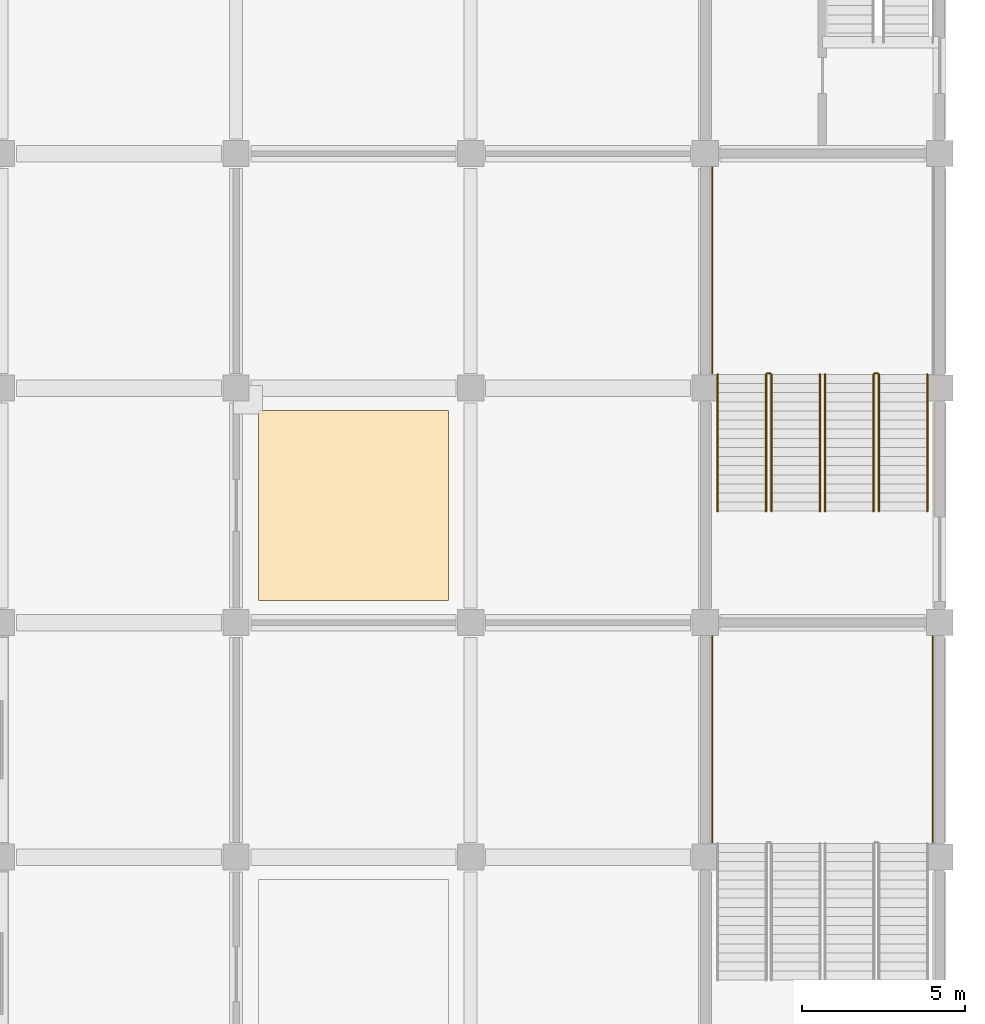
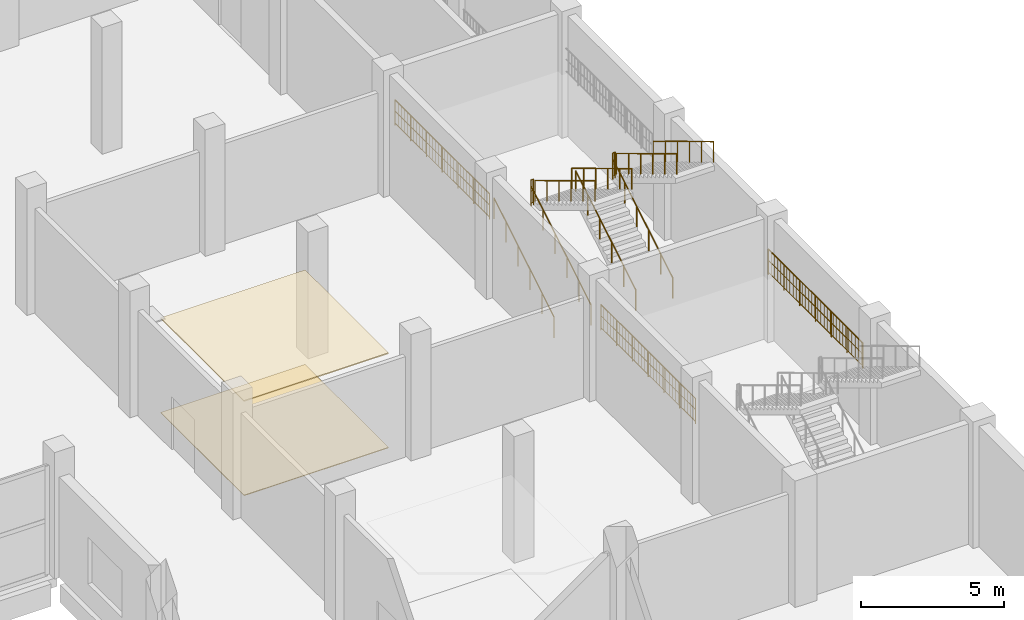
# One storey, part 68 of 70: 13 railings, 2 coverings.
"""IFC4 building model written with IfcOpenShell, lengths in metres."""

from ifc_helpers import new_model, si_unit, direction, frame, origin, origin_2d, place, context, subcontext, project, spatial, polyline, circle, outline, extrude, material, layer, layer_set, type_object, element, save


model = new_model("IFC4")

# Units and contexts
model_context = context("Model", 3, precision=1e-05, world=origin(), true_north=direction((0.0, 1.0)))
body_context = subcontext(model_context, "Body", "Model", "MODEL_VIEW")
ifc_project = project(units=[si_unit("LENGTHUNIT", "METRE"), si_unit("AREAUNIT", "SQUARE_METRE"), si_unit("VOLUMEUNIT", "CUBIC_METRE"), si_unit("PLANEANGLEUNIT", "RADIAN"), si_unit("MASSUNIT", "GRAM", prefix="KILO")], contexts=[model_context])

# Site, building, storey
site_placement = place(None, origin())
site = spatial("IfcSite", under=ifc_project, at=site_placement, CompositionType="ELEMENT")
building_placement = place(site_placement, origin())
building = spatial("IfcBuilding", under=site, at=building_placement, Name="Vesperath Aquatics Centre", CompositionType="ELEMENT")
storey_placement = place(building_placement, origin())
storey = spatial("IfcBuildingStorey", under=building, at=storey_placement, Name="L00", CompositionType="ELEMENT", Elevation=0.0)

# Coverings
ifc_material_1 = material(Name="Perforated moisture-resistant acoustic mineral-fibre ceiling", Category="gypsum")
ifc_layer_1 = layer(ifc_material_1, 0.044921875)
ifc_layer_set_1 = layer_set([ifc_layer_1], Name="Perforated moisture-resistant acoustic mineral-fibre ceiling")
covering_type_1 = type_object("IfcCoveringType", Name="CV-CLG01", PredefinedType="CEILING", material=ifc_layer_set_1)
covering_1_placement = place(storey_placement, frame((0.0, 0.0, 4.02490234375)))
element("IfcCovering", 1, at=covering_1_placement, inside=storey, type_object=covering_type_1, Name="Acoustic Suspended Ceiling CLG1 L00_CHG_F", PredefinedType="CEILING", context=body_context, shape_type="SweptSolid", body=[
    extrude(outline(polyline([(151.8798828125, 65.47998046875), (157.719970703125, 65.47998046875), (157.719970703125, 71.320068359375), (151.8798828125, 71.320068359375), (151.8798828125, 65.47998046875)])), origin(), (0.0, 0.0, 1.0), 0.045166015625),
])
ifc_material_2 = material(Name="Slip-resistant vitrified ceramic and terrazzo flooring", Category="ceramic")
ifc_layer_2 = layer(ifc_material_2, 0.030029296875)
ifc_layer_set_2 = layer_set([ifc_layer_2], Name="Slip-resistant vitrified ceramic and terrazzo flooring")
covering_type_2 = type_object("IfcCoveringType", Name="CV-FLR01", PredefinedType="FLOORING", material=ifc_layer_set_2)
covering_2_placement = place(storey_placement, origin())
element("IfcCovering", 2, at=covering_2_placement, inside=storey, type_object=covering_type_2, Name="Slip-Resistant Floor Finish FLR1 L00_CHG_F", PredefinedType="FLOORING", context=body_context, shape_type="SweptSolid", body=[
    extrude(outline(polyline([(151.8798828125, 65.47998046875), (157.719970703125, 65.47998046875), (157.719970703125, 71.320068359375), (151.8798828125, 71.320068359375), (151.8798828125, 65.47998046875)])), origin(), (0.0, 0.0, 1.0), 0.030029296875),
])

# Railings
ifc_material_3 = material(Name="Powder-coated galvanized steel safety guard", Category="steel")
railing_type_1 = type_object("IfcRailingType", Name="RL-GRD01", PredefinedType="GUARDRAIL", material=ifc_material_3)
railing_1_placement = place(storey_placement, frame((165.820068359375, 58.06005859375, 2.699951171875)))
element("IfcRailing", 3, at=railing_1_placement, inside=storey, type_object=railing_type_1, Name="Stair ST12A Half-Landing Wall Guard GR02 L00", PredefinedType="GUARDRAIL", context=body_context, shape_type="SweptSolid", body=[
    extrude(circle(Radius=0.02392578125, at=origin_2d()), frame((0.0, 0.0, 1.0859375), z_axis=(0.0, 1.0, 0.0), x_axis=(-1.0, 0.0, 0.0)), (0.0, 0.0, 1.0), 6.60986328125),
    extrude(circle(Radius=0.01611328125, at=origin_2d()), frame((0.0, 0.0, 0.10009765625), z_axis=(0.0, 1.0, 0.0), x_axis=(-1.0, 0.0, 0.0)), (0.0, 0.0, 1.0), 6.60986328125),
    extrude(circle(Radius=0.01611328125, at=origin_2d()), frame((0.0, 0.0, 0.610595703125), z_axis=(0.0, 1.0, 0.0), x_axis=(-1.0, 0.0, 0.0)), (0.0, 0.0, 1.0), 6.60986328125),
    extrude(circle(Radius=0.009033203125, at=origin_2d()), frame((0.0, 0.1083984375, 0.10009765625)), (0.0, 0.0, 1.0), 0.9619140625),
    extrude(circle(Radius=0.009033203125, at=origin_2d()), frame((0.0, 0.3251953125, 0.10009765625)), (0.0, 0.0, 1.0), 0.9619140625),
    extrude(circle(Radius=0.009033203125, at=origin_2d()), frame((0.0, 0.541748046875, 0.10009765625)), (0.0, 0.0, 1.0), 0.9619140625),
    extrude(circle(Radius=0.009033203125, at=origin_2d()), frame((0.0, 0.758544921875, 0.10009765625)), (0.0, 0.0, 1.0), 0.9619140625),
    extrude(circle(Radius=0.009033203125, at=origin_2d()), frame((0.0, 0.975341796875, 0.10009765625)), (0.0, 0.0, 1.0), 0.9619140625),
    extrude(circle(Radius=0.009033203125, at=origin_2d()), frame((0.0, 1.19189453125, 0.10009765625)), (0.0, 0.0, 1.0), 0.9619140625),
    extrude(circle(Radius=0.009033203125, at=origin_2d()), frame((0.0, 1.40869140625, 0.10009765625)), (0.0, 0.0, 1.0), 0.9619140625),
    extrude(circle(Radius=0.009033203125, at=origin_2d()), frame((0.0, 1.62548828125, 0.10009765625)), (0.0, 0.0, 1.0), 0.9619140625),
    extrude(circle(Radius=0.009033203125, at=origin_2d()), frame((0.0, 1.842041015625, 0.10009765625)), (0.0, 0.0, 1.0), 0.9619140625),
    extrude(circle(Radius=0.009033203125, at=origin_2d()), frame((0.0, 2.058837890625, 0.10009765625)), (0.0, 0.0, 1.0), 0.9619140625),
    extrude(circle(Radius=0.009033203125, at=origin_2d()), frame((0.0, 2.275634765625, 0.10009765625)), (0.0, 0.0, 1.0), 0.9619140625),
    extrude(circle(Radius=0.009033203125, at=origin_2d()), frame((0.0, 2.4921875, 0.10009765625)), (0.0, 0.0, 1.0), 0.9619140625),
    extrude(circle(Radius=0.009033203125, at=origin_2d()), frame((0.0, 2.708984375, 0.10009765625)), (0.0, 0.0, 1.0), 0.9619140625),
    extrude(circle(Radius=0.009033203125, at=origin_2d()), frame((0.0, 2.92578125, 0.10009765625)), (0.0, 0.0, 1.0), 0.9619140625),
    extrude(circle(Radius=0.009033203125, at=origin_2d()), frame((0.0, 3.142333984375, 0.10009765625)), (0.0, 0.0, 1.0), 0.9619140625),
    extrude(circle(Radius=0.009033203125, at=origin_2d()), frame((0.0, 3.359130859375, 0.10009765625)), (0.0, 0.0, 1.0), 0.9619140625),
    extrude(circle(Radius=0.009033203125, at=origin_2d()), frame((0.0, 3.575927734375, 0.10009765625)), (0.0, 0.0, 1.0), 0.9619140625),
    extrude(circle(Radius=0.009033203125, at=origin_2d()), frame((0.0, 3.79248046875, 0.10009765625)), (0.0, 0.0, 1.0), 0.9619140625),
    extrude(circle(Radius=0.009033203125, at=origin_2d()), frame((0.0, 4.00927734375, 0.10009765625)), (0.0, 0.0, 1.0), 0.9619140625),
    extrude(circle(Radius=0.009033203125, at=origin_2d()), frame((0.0, 4.22607421875, 0.10009765625)), (0.0, 0.0, 1.0), 0.9619140625),
    extrude(circle(Radius=0.009033203125, at=origin_2d()), frame((0.0, 4.442626953125, 0.10009765625)), (0.0, 0.0, 1.0), 0.9619140625),
    extrude(circle(Radius=0.009033203125, at=origin_2d()), frame((0.0, 4.659423828125, 0.10009765625)), (0.0, 0.0, 1.0), 0.9619140625),
    extrude(circle(Radius=0.009033203125, at=origin_2d()), frame((0.0, 4.876220703125, 0.10009765625)), (0.0, 0.0, 1.0), 0.9619140625),
    extrude(circle(Radius=0.009033203125, at=origin_2d()), frame((0.0, 5.0927734375, 0.10009765625)), (0.0, 0.0, 1.0), 0.9619140625),
    extrude(circle(Radius=0.009033203125, at=origin_2d()), frame((0.0, 5.3095703125, 0.10009765625)), (0.0, 0.0, 1.0), 0.9619140625),
    extrude(circle(Radius=0.009033203125, at=origin_2d()), frame((0.0, 5.5263671875, 0.10009765625)), (0.0, 0.0, 1.0), 0.9619140625),
    extrude(circle(Radius=0.009033203125, at=origin_2d()), frame((0.0, 5.742919921875, 0.10009765625)), (0.0, 0.0, 1.0), 0.9619140625),
    extrude(circle(Radius=0.009033203125, at=origin_2d()), frame((0.0, 5.959716796875, 0.10009765625)), (0.0, 0.0, 1.0), 0.9619140625),
    extrude(circle(Radius=0.009033203125, at=origin_2d()), frame((0.0, 6.176513671875, 0.10009765625)), (0.0, 0.0, 1.0), 0.9619140625),
    extrude(circle(Radius=0.009033203125, at=origin_2d()), frame((0.0, 6.39306640625, 0.10009765625)), (0.0, 0.0, 1.0), 0.9619140625),
    extrude(circle(Radius=0.02197265625, at=origin_2d()), origin(), (0.0, 0.0, 1.0), 1.0859375),
    extrude(circle(Radius=0.02197265625, at=origin_2d()), frame((0.0, 1.1015625, 0.0)), (0.0, 0.0, 1.0), 1.0859375),
    extrude(circle(Radius=0.02197265625, at=origin_2d()), frame((0.0, 2.203369140625, 0.0)), (0.0, 0.0, 1.0), 1.0859375),
    extrude(circle(Radius=0.02197265625, at=origin_2d()), frame((0.0, 3.304931640625, 0.0)), (0.0, 0.0, 1.0), 1.0859375),
    extrude(circle(Radius=0.02197265625, at=origin_2d()), frame((0.0, 4.406494140625, 0.0)), (0.0, 0.0, 1.0), 1.0859375),
    extrude(circle(Radius=0.02197265625, at=origin_2d()), frame((0.0, 5.50830078125, 0.0)), (0.0, 0.0, 1.0), 1.0859375),
    extrude(circle(Radius=0.02197265625, at=origin_2d()), frame((0.0, 6.60986328125, 0.0)), (0.0, 0.0, 1.0), 1.0859375),
])
railing_2_placement = place(storey_placement, frame((172.580078125, 58.06005859375, 2.699951171875)))
element("IfcRailing", 4, at=railing_2_placement, inside=storey, type_object=railing_type_1, Name="Stair ST12B Half-Landing Wall Guard GR02 L00", PredefinedType="GUARDRAIL", context=body_context, shape_type="SweptSolid", body=[
    extrude(circle(Radius=0.02392578125, at=origin_2d()), frame((0.0, 0.0, 1.0859375), z_axis=(0.0, 1.0, 0.0), x_axis=(-1.0, 0.0, 0.0)), (0.0, 0.0, 1.0), 6.60986328125),
    extrude(circle(Radius=0.01611328125, at=origin_2d()), frame((0.0, 0.0, 0.10009765625), z_axis=(0.0, 1.0, 0.0), x_axis=(-1.0, 0.0, 0.0)), (0.0, 0.0, 1.0), 6.60986328125),
    extrude(circle(Radius=0.01611328125, at=origin_2d()), frame((0.0, 0.0, 0.610595703125), z_axis=(0.0, 1.0, 0.0), x_axis=(-1.0, 0.0, 0.0)), (0.0, 0.0, 1.0), 6.60986328125),
    extrude(circle(Radius=0.009033203125, at=origin_2d()), frame((0.0, 0.1083984375, 0.10009765625)), (0.0, 0.0, 1.0), 0.9619140625),
    extrude(circle(Radius=0.009033203125, at=origin_2d()), frame((0.0, 0.3251953125, 0.10009765625)), (0.0, 0.0, 1.0), 0.9619140625),
    extrude(circle(Radius=0.009033203125, at=origin_2d()), frame((0.0, 0.541748046875, 0.10009765625)), (0.0, 0.0, 1.0), 0.9619140625),
    extrude(circle(Radius=0.009033203125, at=origin_2d()), frame((0.0, 0.758544921875, 0.10009765625)), (0.0, 0.0, 1.0), 0.9619140625),
    extrude(circle(Radius=0.009033203125, at=origin_2d()), frame((0.0, 0.975341796875, 0.10009765625)), (0.0, 0.0, 1.0), 0.9619140625),
    extrude(circle(Radius=0.009033203125, at=origin_2d()), frame((0.0, 1.19189453125, 0.10009765625)), (0.0, 0.0, 1.0), 0.9619140625),
    extrude(circle(Radius=0.009033203125, at=origin_2d()), frame((0.0, 1.40869140625, 0.10009765625)), (0.0, 0.0, 1.0), 0.9619140625),
    extrude(circle(Radius=0.009033203125, at=origin_2d()), frame((0.0, 1.62548828125, 0.10009765625)), (0.0, 0.0, 1.0), 0.9619140625),
    extrude(circle(Radius=0.009033203125, at=origin_2d()), frame((0.0, 1.842041015625, 0.10009765625)), (0.0, 0.0, 1.0), 0.9619140625),
    extrude(circle(Radius=0.009033203125, at=origin_2d()), frame((0.0, 2.058837890625, 0.10009765625)), (0.0, 0.0, 1.0), 0.9619140625),
    extrude(circle(Radius=0.009033203125, at=origin_2d()), frame((0.0, 2.275634765625, 0.10009765625)), (0.0, 0.0, 1.0), 0.9619140625),
    extrude(circle(Radius=0.009033203125, at=origin_2d()), frame((0.0, 2.4921875, 0.10009765625)), (0.0, 0.0, 1.0), 0.9619140625),
    extrude(circle(Radius=0.009033203125, at=origin_2d()), frame((0.0, 2.708984375, 0.10009765625)), (0.0, 0.0, 1.0), 0.9619140625),
    extrude(circle(Radius=0.009033203125, at=origin_2d()), frame((0.0, 2.92578125, 0.10009765625)), (0.0, 0.0, 1.0), 0.9619140625),
    extrude(circle(Radius=0.009033203125, at=origin_2d()), frame((0.0, 3.142333984375, 0.10009765625)), (0.0, 0.0, 1.0), 0.9619140625),
    extrude(circle(Radius=0.009033203125, at=origin_2d()), frame((0.0, 3.359130859375, 0.10009765625)), (0.0, 0.0, 1.0), 0.9619140625),
    extrude(circle(Radius=0.009033203125, at=origin_2d()), frame((0.0, 3.575927734375, 0.10009765625)), (0.0, 0.0, 1.0), 0.9619140625),
    extrude(circle(Radius=0.009033203125, at=origin_2d()), frame((0.0, 3.79248046875, 0.10009765625)), (0.0, 0.0, 1.0), 0.9619140625),
    extrude(circle(Radius=0.009033203125, at=origin_2d()), frame((0.0, 4.00927734375, 0.10009765625)), (0.0, 0.0, 1.0), 0.9619140625),
    extrude(circle(Radius=0.009033203125, at=origin_2d()), frame((0.0, 4.22607421875, 0.10009765625)), (0.0, 0.0, 1.0), 0.9619140625),
    extrude(circle(Radius=0.009033203125, at=origin_2d()), frame((0.0, 4.442626953125, 0.10009765625)), (0.0, 0.0, 1.0), 0.9619140625),
    extrude(circle(Radius=0.009033203125, at=origin_2d()), frame((0.0, 4.659423828125, 0.10009765625)), (0.0, 0.0, 1.0), 0.9619140625),
    extrude(circle(Radius=0.009033203125, at=origin_2d()), frame((0.0, 4.876220703125, 0.10009765625)), (0.0, 0.0, 1.0), 0.9619140625),
    extrude(circle(Radius=0.009033203125, at=origin_2d()), frame((0.0, 5.0927734375, 0.10009765625)), (0.0, 0.0, 1.0), 0.9619140625),
    extrude(circle(Radius=0.009033203125, at=origin_2d()), frame((0.0, 5.3095703125, 0.10009765625)), (0.0, 0.0, 1.0), 0.9619140625),
    extrude(circle(Radius=0.009033203125, at=origin_2d()), frame((0.0, 5.5263671875, 0.10009765625)), (0.0, 0.0, 1.0), 0.9619140625),
    extrude(circle(Radius=0.009033203125, at=origin_2d()), frame((0.0, 5.742919921875, 0.10009765625)), (0.0, 0.0, 1.0), 0.9619140625),
    extrude(circle(Radius=0.009033203125, at=origin_2d()), frame((0.0, 5.959716796875, 0.10009765625)), (0.0, 0.0, 1.0), 0.9619140625),
    extrude(circle(Radius=0.009033203125, at=origin_2d()), frame((0.0, 6.176513671875, 0.10009765625)), (0.0, 0.0, 1.0), 0.9619140625),
    extrude(circle(Radius=0.009033203125, at=origin_2d()), frame((0.0, 6.39306640625, 0.10009765625)), (0.0, 0.0, 1.0), 0.9619140625),
    extrude(circle(Radius=0.02197265625, at=origin_2d()), origin(), (0.0, 0.0, 1.0), 1.0859375),
    extrude(circle(Radius=0.02197265625, at=origin_2d()), frame((0.0, 1.1015625, 0.0)), (0.0, 0.0, 1.0), 1.0859375),
    extrude(circle(Radius=0.02197265625, at=origin_2d()), frame((0.0, 2.203369140625, 0.0)), (0.0, 0.0, 1.0), 1.0859375),
    extrude(circle(Radius=0.02197265625, at=origin_2d()), frame((0.0, 3.304931640625, 0.0)), (0.0, 0.0, 1.0), 1.0859375),
    extrude(circle(Radius=0.02197265625, at=origin_2d()), frame((0.0, 4.406494140625, 0.0)), (0.0, 0.0, 1.0), 1.0859375),
    extrude(circle(Radius=0.02197265625, at=origin_2d()), frame((0.0, 5.50830078125, 0.0)), (0.0, 0.0, 1.0), 1.0859375),
    extrude(circle(Radius=0.02197265625, at=origin_2d()), frame((0.0, 6.60986328125, 0.0)), (0.0, 0.0, 1.0), 1.0859375),
])
railing_3_placement = place(storey_placement, frame((167.5, 72.4599609375, 2.699951171875)))
element("IfcRailing", 5, at=railing_3_placement, inside=storey, type_object=railing_type_1, Name="Stair ST13A Half-Landing Slot Guard GR02 L00", PredefinedType="GUARDRAIL", context=body_context, shape_type="SweptSolid", body=[
    extrude(circle(Radius=0.02392578125, at=origin_2d()), frame((0.0, 0.0, 1.0859375), z_axis=(1.0, 0.0, 0.0), x_axis=(0.0, 1.0, 0.0)), (0.0, 0.0, 1.0), 0.10009765625),
    extrude(circle(Radius=0.01611328125, at=origin_2d()), frame((0.0, 0.0, 0.10009765625), z_axis=(1.0, 0.0, 0.0), x_axis=(0.0, 1.0, 0.0)), (0.0, 0.0, 1.0), 0.10009765625),
    extrude(circle(Radius=0.01611328125, at=origin_2d()), frame((0.0, 0.0, 0.610595703125), z_axis=(1.0, 0.0, 0.0), x_axis=(0.0, 1.0, 0.0)), (0.0, 0.0, 1.0), 0.10009765625),
    extrude(circle(Radius=0.009033203125, at=origin_2d()), frame((0.050048828125, 0.0, 0.10009765625)), (0.0, 0.0, 1.0), 0.9619140625),
    extrude(circle(Radius=0.02197265625, at=origin_2d()), origin(), (0.0, 0.0, 1.0), 1.0859375),
    extrude(circle(Radius=0.02197265625, at=origin_2d()), frame((0.10009765625, 0.0, 0.0)), (0.0, 0.0, 1.0), 1.0859375),
])
railing_4_placement = place(storey_placement, frame((165.820068359375, 72.4599609375, 2.699951171875)))
element("IfcRailing", 6, at=railing_4_placement, inside=storey, type_object=railing_type_1, Name="Stair ST13A Half-Landing Wall Guard GR02 L00", PredefinedType="GUARDRAIL", context=body_context, shape_type="SweptSolid", body=[
    extrude(circle(Radius=0.02392578125, at=origin_2d()), frame((0.0, 0.0, 1.0859375), z_axis=(0.0, 1.0, 0.0), x_axis=(-1.0, 0.0, 0.0)), (0.0, 0.0, 1.0), 6.610107421875),
    extrude(circle(Radius=0.01611328125, at=origin_2d()), frame((0.0, 0.0, 0.10009765625), z_axis=(0.0, 1.0, 0.0), x_axis=(-1.0, 0.0, 0.0)), (0.0, 0.0, 1.0), 6.610107421875),
    extrude(circle(Radius=0.01611328125, at=origin_2d()), frame((0.0, 0.0, 0.610595703125), z_axis=(0.0, 1.0, 0.0), x_axis=(-1.0, 0.0, 0.0)), (0.0, 0.0, 1.0), 6.610107421875),
    extrude(circle(Radius=0.009033203125, at=origin_2d()), frame((0.0, 0.1083984375, 0.10009765625)), (0.0, 0.0, 1.0), 0.9619140625),
    extrude(circle(Radius=0.009033203125, at=origin_2d()), frame((0.0, 0.3251953125, 0.10009765625)), (0.0, 0.0, 1.0), 0.9619140625),
    extrude(circle(Radius=0.009033203125, at=origin_2d()), frame((0.0, 0.541748046875, 0.10009765625)), (0.0, 0.0, 1.0), 0.9619140625),
    extrude(circle(Radius=0.009033203125, at=origin_2d()), frame((0.0, 0.758544921875, 0.10009765625)), (0.0, 0.0, 1.0), 0.9619140625),
    extrude(circle(Radius=0.009033203125, at=origin_2d()), frame((0.0, 0.975341796875, 0.10009765625)), (0.0, 0.0, 1.0), 0.9619140625),
    extrude(circle(Radius=0.009033203125, at=origin_2d()), frame((0.0, 1.19189453125, 0.10009765625)), (0.0, 0.0, 1.0), 0.9619140625),
    extrude(circle(Radius=0.009033203125, at=origin_2d()), frame((0.0, 1.40869140625, 0.10009765625)), (0.0, 0.0, 1.0), 0.9619140625),
    extrude(circle(Radius=0.009033203125, at=origin_2d()), frame((0.0, 1.62548828125, 0.10009765625)), (0.0, 0.0, 1.0), 0.9619140625),
    extrude(circle(Radius=0.009033203125, at=origin_2d()), frame((0.0, 1.842041015625, 0.10009765625)), (0.0, 0.0, 1.0), 0.9619140625),
    extrude(circle(Radius=0.009033203125, at=origin_2d()), frame((0.0, 2.058837890625, 0.10009765625)), (0.0, 0.0, 1.0), 0.9619140625),
    extrude(circle(Radius=0.009033203125, at=origin_2d()), frame((0.0, 2.275634765625, 0.10009765625)), (0.0, 0.0, 1.0), 0.9619140625),
    extrude(circle(Radius=0.009033203125, at=origin_2d()), frame((0.0, 2.492431640625, 0.10009765625)), (0.0, 0.0, 1.0), 0.9619140625),
    extrude(circle(Radius=0.009033203125, at=origin_2d()), frame((0.0, 2.708984375, 0.10009765625)), (0.0, 0.0, 1.0), 0.9619140625),
    extrude(circle(Radius=0.009033203125, at=origin_2d()), frame((0.0, 2.92578125, 0.10009765625)), (0.0, 0.0, 1.0), 0.9619140625),
    extrude(circle(Radius=0.009033203125, at=origin_2d()), frame((0.0, 3.142578125, 0.10009765625)), (0.0, 0.0, 1.0), 0.9619140625),
    extrude(circle(Radius=0.009033203125, at=origin_2d()), frame((0.0, 3.359130859375, 0.10009765625)), (0.0, 0.0, 1.0), 0.9619140625),
    extrude(circle(Radius=0.009033203125, at=origin_2d()), frame((0.0, 3.575927734375, 0.10009765625)), (0.0, 0.0, 1.0), 0.9619140625),
    extrude(circle(Radius=0.009033203125, at=origin_2d()), frame((0.0, 3.792724609375, 0.10009765625)), (0.0, 0.0, 1.0), 0.9619140625),
    extrude(circle(Radius=0.009033203125, at=origin_2d()), frame((0.0, 4.009521484375, 0.10009765625)), (0.0, 0.0, 1.0), 0.9619140625),
    extrude(circle(Radius=0.009033203125, at=origin_2d()), frame((0.0, 4.22607421875, 0.10009765625)), (0.0, 0.0, 1.0), 0.9619140625),
    extrude(circle(Radius=0.009033203125, at=origin_2d()), frame((0.0, 4.44287109375, 0.10009765625)), (0.0, 0.0, 1.0), 0.9619140625),
    extrude(circle(Radius=0.009033203125, at=origin_2d()), frame((0.0, 4.65966796875, 0.10009765625)), (0.0, 0.0, 1.0), 0.9619140625),
    extrude(circle(Radius=0.009033203125, at=origin_2d()), frame((0.0, 4.876220703125, 0.10009765625)), (0.0, 0.0, 1.0), 0.9619140625),
    extrude(circle(Radius=0.009033203125, at=origin_2d()), frame((0.0, 5.093017578125, 0.10009765625)), (0.0, 0.0, 1.0), 0.9619140625),
    extrude(circle(Radius=0.009033203125, at=origin_2d()), frame((0.0, 5.309814453125, 0.10009765625)), (0.0, 0.0, 1.0), 0.9619140625),
    extrude(circle(Radius=0.009033203125, at=origin_2d()), frame((0.0, 5.5263671875, 0.10009765625)), (0.0, 0.0, 1.0), 0.9619140625),
    extrude(circle(Radius=0.009033203125, at=origin_2d()), frame((0.0, 5.7431640625, 0.10009765625)), (0.0, 0.0, 1.0), 0.9619140625),
    extrude(circle(Radius=0.009033203125, at=origin_2d()), frame((0.0, 5.9599609375, 0.10009765625)), (0.0, 0.0, 1.0), 0.9619140625),
    extrude(circle(Radius=0.009033203125, at=origin_2d()), frame((0.0, 6.1767578125, 0.10009765625)), (0.0, 0.0, 1.0), 0.9619140625),
    extrude(circle(Radius=0.009033203125, at=origin_2d()), frame((0.0, 6.393310546875, 0.10009765625)), (0.0, 0.0, 1.0), 0.9619140625),
    extrude(circle(Radius=0.02197265625, at=origin_2d()), origin(), (0.0, 0.0, 1.0), 1.0859375),
    extrude(circle(Radius=0.02197265625, at=origin_2d()), frame((0.0, 1.1015625, 0.0)), (0.0, 0.0, 1.0), 1.0859375),
    extrude(circle(Radius=0.02197265625, at=origin_2d()), frame((0.0, 2.203369140625, 0.0)), (0.0, 0.0, 1.0), 1.0859375),
    extrude(circle(Radius=0.02197265625, at=origin_2d()), frame((0.0, 3.30517578125, 0.0)), (0.0, 0.0, 1.0), 1.0859375),
    extrude(circle(Radius=0.02197265625, at=origin_2d()), frame((0.0, 4.40673828125, 0.0)), (0.0, 0.0, 1.0), 1.0859375),
    extrude(circle(Radius=0.02197265625, at=origin_2d()), frame((0.0, 5.50830078125, 0.0)), (0.0, 0.0, 1.0), 1.0859375),
    extrude(circle(Radius=0.02197265625, at=origin_2d()), frame((0.0, 6.610107421875, 0.0)), (0.0, 0.0, 1.0), 1.0859375),
])
railing_5_placement = place(storey_placement, frame((170.800048828125, 72.4599609375, 2.699951171875)))
element("IfcRailing", 7, at=railing_5_placement, inside=storey, type_object=railing_type_1, Name="Stair ST13B Half-Landing Slot Guard GR02 L00", PredefinedType="GUARDRAIL", context=body_context, shape_type="SweptSolid", body=[
    extrude(circle(Radius=0.02392578125, at=origin_2d()), frame((0.0, 0.0, 1.0859375), z_axis=(1.0, 0.0, 0.0), x_axis=(0.0, 1.0, 0.0)), (0.0, 0.0, 1.0), 0.099853515625),
    extrude(circle(Radius=0.01611328125, at=origin_2d()), frame((0.0, 0.0, 0.10009765625), z_axis=(1.0, 0.0, 0.0), x_axis=(0.0, 1.0, 0.0)), (0.0, 0.0, 1.0), 0.099853515625),
    extrude(circle(Radius=0.01611328125, at=origin_2d()), frame((0.0, 0.0, 0.610595703125), z_axis=(1.0, 0.0, 0.0), x_axis=(0.0, 1.0, 0.0)), (0.0, 0.0, 1.0), 0.099853515625),
    extrude(circle(Radius=0.009033203125, at=origin_2d()), frame((0.0498046875, 0.0, 0.10009765625)), (0.0, 0.0, 1.0), 0.9619140625),
    extrude(circle(Radius=0.02197265625, at=origin_2d()), origin(), (0.0, 0.0, 1.0), 1.0859375),
    extrude(circle(Radius=0.02197265625, at=origin_2d()), frame((0.099853515625, 0.0, 0.0)), (0.0, 0.0, 1.0), 1.0859375),
])
ifc_material_4 = material(Name="Brushed stainless steel tubular handrail", Category="steel")
railing_type_2 = type_object("IfcRailingType", Name="RL-HND01", PredefinedType="HANDRAIL", material=ifc_material_4)
railing_6_placement = place(storey_placement, frame((167.469970703125, 68.219970703125, 0.168701171875)))
element("IfcRailing", 8, at=railing_6_placement, inside=storey, type_object=railing_type_2, Name="Stair ST13A Flight 1 Handrail HR01 L00", PredefinedType="HANDRAIL", context=body_context, shape_type="SweptSolid", body=[
    extrude(circle(Radius=0.02392578125, at=origin_2d()), frame((0.0, 0.0, 0.8759765625), z_axis=(0.0, 0.856476492594, 0.516186030065), x_axis=(-1.0, 0.0, 0.0)), (0.0, 0.0, 1.0), 4.90380859375),
    extrude(circle(Radius=0.02197265625, at=origin_2d()), origin(), (0.0, 0.0, 1.0), 0.8759765625),
    extrude(circle(Radius=0.02197265625, at=origin_2d()), frame((0.0, 0.840087890625, 0.50634765625)), (0.0, 0.0, 1.0), 0.8759765625),
    extrude(circle(Radius=0.02197265625, at=origin_2d()), frame((0.0, 1.679931640625, 1.012451171875)), (0.0, 0.0, 1.0), 0.8759765625),
    extrude(circle(Radius=0.02197265625, at=origin_2d()), frame((0.0, 2.52001953125, 1.518798828125)), (0.0, 0.0, 1.0), 0.8759765625),
    extrude(circle(Radius=0.02197265625, at=origin_2d()), frame((0.0, 3.35986328125, 2.02490234375)), (0.0, 0.0, 1.0), 0.8759765625),
    extrude(circle(Radius=0.02197265625, at=origin_2d()), frame((0.0, 4.199951171875, 2.53125)), (0.0, 0.0, 1.0), 0.8759765625),
])
railing_7_placement = place(storey_placement, frame((167.6298828125, 72.419921875, 2.86865234375)))
element("IfcRailing", 9, at=railing_7_placement, inside=storey, type_object=railing_type_2, Name="Stair ST13A Flight 2 Handrail HR01 L00", PredefinedType="HANDRAIL", context=body_context, shape_type="SweptSolid", body=[
    extrude(circle(Radius=0.02392578125, at=origin_2d()), frame((0.0, 0.0, 0.8759765625), z_axis=(0.0, -0.856476492594, 0.516186030065), x_axis=(1.0, 0.0, 0.0)), (0.0, 0.0, 1.0), 4.90380859375),
    extrude(circle(Radius=0.02197265625, at=origin_2d()), origin(), (0.0, 0.0, 1.0), 0.8759765625),
    extrude(circle(Radius=0.02197265625, at=origin_2d()), frame((0.0, -0.840087890625, 0.50634765625)), (0.0, 0.0, 1.0), 0.8759765625),
    extrude(circle(Radius=0.02197265625, at=origin_2d()), frame((0.0, -1.679931640625, 1.012451171875)), (0.0, 0.0, 1.0), 0.8759765625),
    extrude(circle(Radius=0.02197265625, at=origin_2d()), frame((0.0, -2.52001953125, 1.518798828125)), (0.0, 0.0, 1.0), 0.8759765625),
    extrude(circle(Radius=0.02197265625, at=origin_2d()), frame((0.0, -3.35986328125, 2.02490234375)), (0.0, 0.0, 1.0), 0.8759765625),
    extrude(circle(Radius=0.02197265625, at=origin_2d()), frame((0.0, -4.199951171875, 2.53125)), (0.0, 0.0, 1.0), 0.8759765625),
])
railing_8_placement = place(storey_placement, frame((165.97998046875, 68.219970703125, 0.168701171875)))
element("IfcRailing", 10, at=railing_8_placement, inside=storey, type_object=railing_type_2, Name="Stair ST13A Flight 1 Handrail HR01 L00", PredefinedType="HANDRAIL", context=body_context, shape_type="SweptSolid", body=[
    extrude(circle(Radius=0.02392578125, at=origin_2d()), frame((0.0, 0.0, 0.8759765625), z_axis=(0.0, 0.856476492594, 0.516186030065), x_axis=(-1.0, 0.0, 0.0)), (0.0, 0.0, 1.0), 4.90380859375),
    extrude(circle(Radius=0.02197265625, at=origin_2d()), origin(), (0.0, 0.0, 1.0), 0.8759765625),
    extrude(circle(Radius=0.02197265625, at=origin_2d()), frame((0.0, 0.840087890625, 0.50634765625)), (0.0, 0.0, 1.0), 0.8759765625),
    extrude(circle(Radius=0.02197265625, at=origin_2d()), frame((0.0, 1.679931640625, 1.012451171875)), (0.0, 0.0, 1.0), 0.8759765625),
    extrude(circle(Radius=0.02197265625, at=origin_2d()), frame((0.0, 2.52001953125, 1.518798828125)), (0.0, 0.0, 1.0), 0.8759765625),
    extrude(circle(Radius=0.02197265625, at=origin_2d()), frame((0.0, 3.35986328125, 2.02490234375)), (0.0, 0.0, 1.0), 0.8759765625),
    extrude(circle(Radius=0.02197265625, at=origin_2d()), frame((0.0, 4.199951171875, 2.53125)), (0.0, 0.0, 1.0), 0.8759765625),
])
railing_9_placement = place(storey_placement, frame((169.1201171875, 72.419921875, 2.86865234375)))
element("IfcRailing", 11, at=railing_9_placement, inside=storey, type_object=railing_type_2, Name="Stair ST13A Flight 2 Handrail HR01 L00", PredefinedType="HANDRAIL", context=body_context, shape_type="SweptSolid", body=[
    extrude(circle(Radius=0.02392578125, at=origin_2d()), frame((0.0, 0.0, 0.8759765625), z_axis=(0.0, -0.856476492594, 0.516186030065), x_axis=(1.0, 0.0, 0.0)), (0.0, 0.0, 1.0), 4.90380859375),
    extrude(circle(Radius=0.02197265625, at=origin_2d()), origin(), (0.0, 0.0, 1.0), 0.8759765625),
    extrude(circle(Radius=0.02197265625, at=origin_2d()), frame((0.0, -0.840087890625, 0.50634765625)), (0.0, 0.0, 1.0), 0.8759765625),
    extrude(circle(Radius=0.02197265625, at=origin_2d()), frame((0.0, -1.679931640625, 1.012451171875)), (0.0, 0.0, 1.0), 0.8759765625),
    extrude(circle(Radius=0.02197265625, at=origin_2d()), frame((0.0, -2.52001953125, 1.518798828125)), (0.0, 0.0, 1.0), 0.8759765625),
    extrude(circle(Radius=0.02197265625, at=origin_2d()), frame((0.0, -3.35986328125, 2.02490234375)), (0.0, 0.0, 1.0), 0.8759765625),
    extrude(circle(Radius=0.02197265625, at=origin_2d()), frame((0.0, -4.199951171875, 2.53125)), (0.0, 0.0, 1.0), 0.8759765625),
])
railing_10_placement = place(storey_placement, frame((170.77001953125, 68.219970703125, 0.168701171875)))
element("IfcRailing", 12, at=railing_10_placement, inside=storey, type_object=railing_type_2, Name="Stair ST13B Flight 1 Handrail HR01 L00", PredefinedType="HANDRAIL", context=body_context, shape_type="SweptSolid", body=[
    extrude(circle(Radius=0.02392578125, at=origin_2d()), frame((0.0, 0.0, 0.8759765625), z_axis=(0.0, 0.856476492594, 0.516186030065), x_axis=(-1.0, 0.0, 0.0)), (0.0, 0.0, 1.0), 4.90380859375),
    extrude(circle(Radius=0.02197265625, at=origin_2d()), origin(), (0.0, 0.0, 1.0), 0.8759765625),
    extrude(circle(Radius=0.02197265625, at=origin_2d()), frame((0.0, 0.840087890625, 0.50634765625)), (0.0, 0.0, 1.0), 0.8759765625),
    extrude(circle(Radius=0.02197265625, at=origin_2d()), frame((0.0, 1.679931640625, 1.012451171875)), (0.0, 0.0, 1.0), 0.8759765625),
    extrude(circle(Radius=0.02197265625, at=origin_2d()), frame((0.0, 2.52001953125, 1.518798828125)), (0.0, 0.0, 1.0), 0.8759765625),
    extrude(circle(Radius=0.02197265625, at=origin_2d()), frame((0.0, 3.35986328125, 2.02490234375)), (0.0, 0.0, 1.0), 0.8759765625),
    extrude(circle(Radius=0.02197265625, at=origin_2d()), frame((0.0, 4.199951171875, 2.53125)), (0.0, 0.0, 1.0), 0.8759765625),
])
railing_11_placement = place(storey_placement, frame((170.929931640625, 72.419921875, 2.86865234375)))
element("IfcRailing", 13, at=railing_11_placement, inside=storey, type_object=railing_type_2, Name="Stair ST13B Flight 2 Handrail HR01 L00", PredefinedType="HANDRAIL", context=body_context, shape_type="SweptSolid", body=[
    extrude(circle(Radius=0.02392578125, at=origin_2d()), frame((0.0, 0.0, 0.8759765625), z_axis=(0.0, -0.856476492594, 0.516186030065), x_axis=(1.0, 0.0, 0.0)), (0.0, 0.0, 1.0), 4.90380859375),
    extrude(circle(Radius=0.02197265625, at=origin_2d()), origin(), (0.0, 0.0, 1.0), 0.8759765625),
    extrude(circle(Radius=0.02197265625, at=origin_2d()), frame((0.0, -0.840087890625, 0.50634765625)), (0.0, 0.0, 1.0), 0.8759765625),
    extrude(circle(Radius=0.02197265625, at=origin_2d()), frame((0.0, -1.679931640625, 1.012451171875)), (0.0, 0.0, 1.0), 0.8759765625),
    extrude(circle(Radius=0.02197265625, at=origin_2d()), frame((0.0, -2.52001953125, 1.518798828125)), (0.0, 0.0, 1.0), 0.8759765625),
    extrude(circle(Radius=0.02197265625, at=origin_2d()), frame((0.0, -3.35986328125, 2.02490234375)), (0.0, 0.0, 1.0), 0.8759765625),
    extrude(circle(Radius=0.02197265625, at=origin_2d()), frame((0.0, -4.199951171875, 2.53125)), (0.0, 0.0, 1.0), 0.8759765625),
])
railing_12_placement = place(storey_placement, frame((169.280029296875, 68.219970703125, 0.168701171875)))
element("IfcRailing", 14, at=railing_12_placement, inside=storey, type_object=railing_type_2, Name="Stair ST13B Flight 1 Handrail HR01 L00", PredefinedType="HANDRAIL", context=body_context, shape_type="SweptSolid", body=[
    extrude(circle(Radius=0.02392578125, at=origin_2d()), frame((0.0, 0.0, 0.8759765625), z_axis=(0.0, 0.856476492594, 0.516186030065), x_axis=(-1.0, 0.0, 0.0)), (0.0, 0.0, 1.0), 4.90380859375),
    extrude(circle(Radius=0.02197265625, at=origin_2d()), origin(), (0.0, 0.0, 1.0), 0.8759765625),
    extrude(circle(Radius=0.02197265625, at=origin_2d()), frame((0.0, 0.840087890625, 0.50634765625)), (0.0, 0.0, 1.0), 0.8759765625),
    extrude(circle(Radius=0.02197265625, at=origin_2d()), frame((0.0, 1.679931640625, 1.012451171875)), (0.0, 0.0, 1.0), 0.8759765625),
    extrude(circle(Radius=0.02197265625, at=origin_2d()), frame((0.0, 2.52001953125, 1.518798828125)), (0.0, 0.0, 1.0), 0.8759765625),
    extrude(circle(Radius=0.02197265625, at=origin_2d()), frame((0.0, 3.35986328125, 2.02490234375)), (0.0, 0.0, 1.0), 0.8759765625),
    extrude(circle(Radius=0.02197265625, at=origin_2d()), frame((0.0, 4.199951171875, 2.53125)), (0.0, 0.0, 1.0), 0.8759765625),
])
railing_13_placement = place(storey_placement, frame((172.419921875, 72.419921875, 2.86865234375)))
element("IfcRailing", 15, at=railing_13_placement, inside=storey, type_object=railing_type_2, Name="Stair ST13B Flight 2 Handrail HR01 L00", PredefinedType="HANDRAIL", context=body_context, shape_type="SweptSolid", body=[
    extrude(circle(Radius=0.02392578125, at=origin_2d()), frame((0.0, 0.0, 0.8759765625), z_axis=(0.0, -0.856476492594, 0.516186030065), x_axis=(1.0, 0.0, 0.0)), (0.0, 0.0, 1.0), 4.90380859375),
    extrude(circle(Radius=0.02197265625, at=origin_2d()), origin(), (0.0, 0.0, 1.0), 0.8759765625),
    extrude(circle(Radius=0.02197265625, at=origin_2d()), frame((0.0, -0.840087890625, 0.50634765625)), (0.0, 0.0, 1.0), 0.8759765625),
    extrude(circle(Radius=0.02197265625, at=origin_2d()), frame((0.0, -1.679931640625, 1.012451171875)), (0.0, 0.0, 1.0), 0.8759765625),
    extrude(circle(Radius=0.02197265625, at=origin_2d()), frame((0.0, -2.52001953125, 1.518798828125)), (0.0, 0.0, 1.0), 0.8759765625),
    extrude(circle(Radius=0.02197265625, at=origin_2d()), frame((0.0, -3.35986328125, 2.02490234375)), (0.0, 0.0, 1.0), 0.8759765625),
    extrude(circle(Radius=0.02197265625, at=origin_2d()), frame((0.0, -4.199951171875, 2.53125)), (0.0, 0.0, 1.0), 0.8759765625),
])

save(model, "model.ifc")
